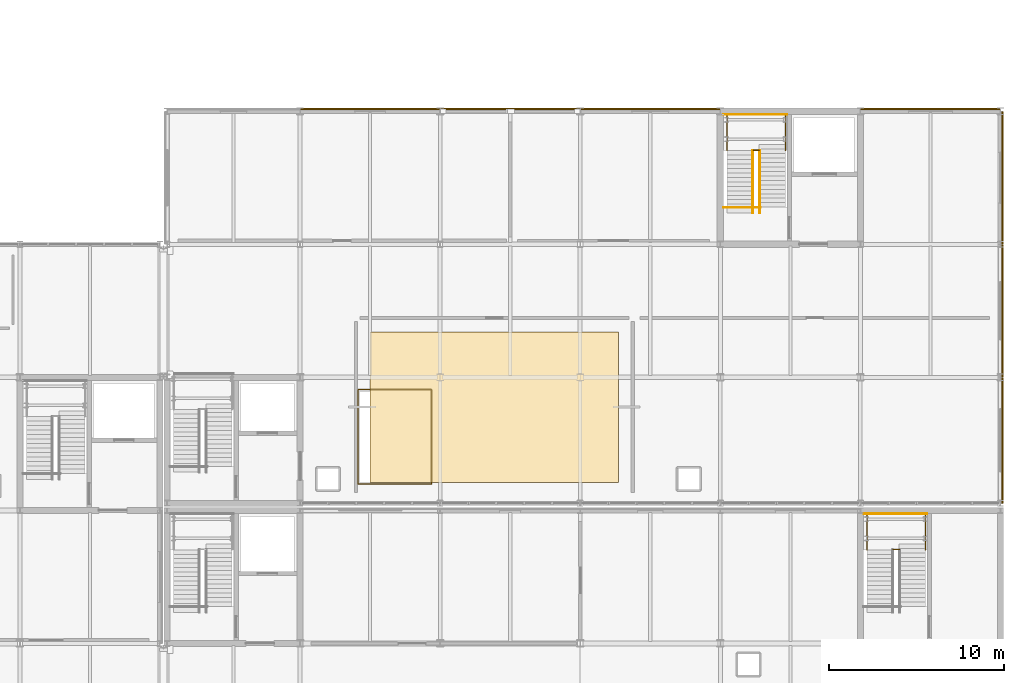
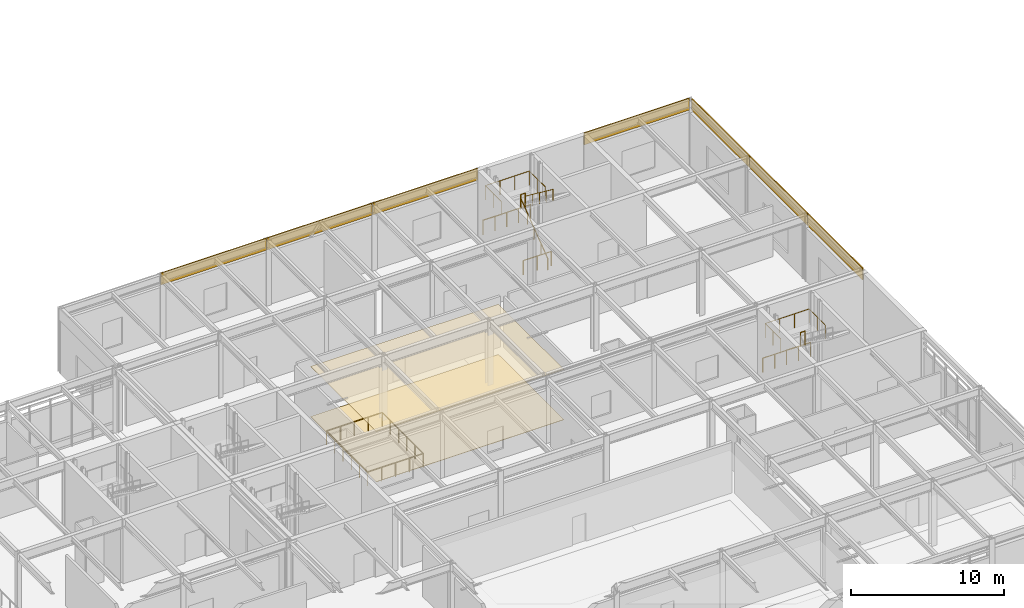
# One storey, part 94 of 94: 10 railings, 9 coverings.
"""IFC4 building model written with IfcOpenShell, lengths in metres."""

from ifc_helpers import new_model, si_unit, direction, frame, origin, origin_2d, place, context, subcontext, project, spatial, polyline, rectangle, circle, outline, extrude, material, layer, layer_set, type_object, element, save


model = new_model("IFC4")

# Units and contexts
model_context = context("Model", 3, precision=1e-05, world=origin(), true_north=direction((0.0, 1.0)))
body_context = subcontext(model_context, "Body", "Model", "MODEL_VIEW")
ifc_project = project(units=[si_unit("LENGTHUNIT", "METRE"), si_unit("AREAUNIT", "SQUARE_METRE"), si_unit("VOLUMEUNIT", "CUBIC_METRE"), si_unit("PLANEANGLEUNIT", "RADIAN"), si_unit("MASSUNIT", "GRAM", prefix="KILO")], contexts=[model_context])

# Site, building, storey
site_placement = place(None, origin())
site = spatial("IfcSite", under=ifc_project, at=site_placement, CompositionType="ELEMENT")
building_placement = place(site_placement, origin())
building = spatial("IfcBuilding", under=site, at=building_placement, Name="Zulena Civic Courthouse", CompositionType="ELEMENT")
storey_placement = place(building_placement, frame((0.0, 0.0, 5.39990234375)))
storey = spatial("IfcBuildingStorey", under=building, at=storey_placement, Name="L01", CompositionType="ELEMENT", Elevation=5.39990234375)

# Covering
ifc_material_1 = material(Name="Perforated acoustic mineral-fibre ceiling tile", Category="concrete")
ifc_layer_1 = layer(ifc_material_1, 0.02490234375)
ifc_layer_set_1 = layer_set([ifc_layer_1], Name="Perforated acoustic mineral-fibre ceiling tile")
covering_type_1 = type_object("IfcCoveringType", Name="AcousticCeiling_25", PredefinedType="CEILING", material=ifc_layer_set_1)
covering_1_placement = place(storey_placement, frame((0.0, 0.0, 4.02001953125)))
element("IfcCovering", 1, at=covering_1_placement, inside=storey, type_object=covering_type_1, Name="ceil:L01:264", PredefinedType="CEILING", context=body_context, shape_type="SweptSolid", body=[
    extrude(outline(polyline([(136.0, 32.0), (150.199951171875, 32.0), (150.199951171875, 40.60009765625), (136.0, 40.60009765625), (136.0, 32.0)])), origin(), (0.0, 0.0, 1.0), 0.025146484375),
])

# Railings
ifc_material_2 = material(Name="Brushed architectural steel ASTM A36", Category="steel")
railing_type_1 = type_object("IfcRailingType", Name="InteriorGuardrail_1150", PredefinedType="GUARDRAIL", material=ifc_material_2)
railing_1_placement = place(storey_placement, frame((164.199951171875, 30.2099609375, 0.0)))
element("IfcRailing", 2, at=railing_1_placement, inside=storey, type_object=railing_type_1, Name="gr:wellN:K1B:L00", PredefinedType="GUARDRAIL", context=body_context, shape_type="SweptSolid", body=[
    extrude(circle(Radius=0.02392578125, at=origin_2d()), frame((0.00390625, 0.0, 1.1259765625), z_axis=(1.0, 0.0, 0.0), x_axis=(0.0, 1.0, 0.0)), (0.0, 0.0, 1.0), 3.592041015625),
    extrude(circle(Radius=0.02099609375, at=origin_2d()), origin(), (0.0, 0.0, 1.0), 1.097900390625),
    extrude(circle(Radius=0.02099609375, at=origin_2d()), frame((0.89990234375, 0.0, 0.0)), (0.0, 0.0, 1.0), 1.097900390625),
    extrude(circle(Radius=0.02099609375, at=origin_2d()), frame((1.800048828125, 0.0, 0.0)), (0.0, 0.0, 1.0), 1.097900390625),
    extrude(circle(Radius=0.02099609375, at=origin_2d()), frame((2.7001953125, 0.0, 0.0)), (0.0, 0.0, 1.0), 1.097900390625),
    extrude(circle(Radius=0.02099609375, at=origin_2d()), frame((3.60009765625, 0.0, 0.0)), (0.0, 0.0, 1.0), 1.097900390625),
])
railing_2_placement = place(storey_placement, frame((164.3798828125, 28.149658203125, 2.7001953125)))
element("IfcRailing", 3, at=railing_2_placement, inside=storey, type_object=railing_type_1, Name="gr:lnd:K1B:L01", PredefinedType="GUARDRAIL", context=body_context, shape_type="SweptSolid", body=[
    extrude(circle(Radius=0.02392578125, at=origin_2d()), frame((0.0, 0.00390625, 1.1259765625), z_axis=(0.0, 1.0, 0.0), x_axis=(-1.0, 0.0, 0.0)), (0.0, 0.0, 1.0), 2.062255859375),
    extrude(circle(Radius=0.02392578125, at=origin_2d()), frame((0.00390625, 2.0703125, 1.1259765625), z_axis=(1.0, 0.0, 0.0), x_axis=(0.0, 1.0, 0.0)), (0.0, 0.0, 1.0), 3.33203125),
    extrude(circle(Radius=0.02392578125, at=origin_2d()), frame((3.340087890625, 2.06640625, 1.1259765625), z_axis=(0.0, -1.0, 0.0), x_axis=(1.0, 0.0, 0.0)), (0.0, 0.0, 1.0), 2.062255859375),
    extrude(circle(Radius=0.02099609375, at=origin_2d()), origin(), (0.0, 0.0, 1.0), 1.097900390625),
    extrude(circle(Radius=0.02099609375, at=origin_2d()), frame((0.0, 1.03515625, 0.0)), (0.0, 0.0, 1.0), 1.097900390625),
    extrude(circle(Radius=0.02099609375, at=origin_2d()), frame((0.0, 2.0703125, 0.0)), (0.0, 0.0, 1.0), 1.097900390625),
    extrude(circle(Radius=0.02099609375, at=origin_2d()), frame((1.11328125, 2.0703125, 0.0)), (0.0, 0.0, 1.0), 1.097900390625),
    extrude(circle(Radius=0.02099609375, at=origin_2d()), frame((2.226806640625, 2.0703125, 0.0)), (0.0, 0.0, 1.0), 1.097900390625),
    extrude(circle(Radius=0.02099609375, at=origin_2d()), frame((3.340087890625, 2.0703125, 0.0)), (0.0, 0.0, 1.0), 1.097900390625),
    extrude(circle(Radius=0.02099609375, at=origin_2d()), frame((3.340087890625, 1.03515625, 0.0)), (0.0, 0.0, 1.0), 1.097900390625),
    extrude(circle(Radius=0.02099609375, at=origin_2d()), frame((3.340087890625, 0.0, 0.0)), (0.0, 0.0, 1.0), 1.097900390625),
])
railing_3_placement = place(storey_placement, frame((165.8798828125, 28.169921875, 2.7001953125)))
element("IfcRailing", 4, at=railing_3_placement, inside=storey, type_object=railing_type_1, Name="gr:lndslot:K1B:L01", PredefinedType="GUARDRAIL", context=body_context, shape_type="SweptSolid", body=[
    extrude(circle(Radius=0.02392578125, at=origin_2d()), frame((0.00390625, 0.0, 1.1259765625), z_axis=(1.0, 0.0, 0.0), x_axis=(0.0, 1.0, 0.0)), (0.0, 0.0, 1.0), 0.33203125),
    extrude(circle(Radius=0.02099609375, at=origin_2d()), origin(), (0.0, 0.0, 1.0), 1.097900390625),
    extrude(circle(Radius=0.02099609375, at=origin_2d()), frame((0.340087890625, 0.0, 0.0)), (0.0, 0.0, 1.0), 1.097900390625),
])
railing_4_placement = place(storey_placement, frame((156.199951171875, 53.010009765625, 0.0)))
element("IfcRailing", 5, at=railing_4_placement, inside=storey, type_object=railing_type_1, Name="gr:wellN:K3B:L00", PredefinedType="GUARDRAIL", context=body_context, shape_type="SweptSolid", body=[
    extrude(circle(Radius=0.02392578125, at=origin_2d()), frame((0.00390625, 0.0, 1.1259765625), z_axis=(1.0, 0.0, 0.0), x_axis=(0.0, 1.0, 0.0)), (0.0, 0.0, 1.0), 3.592041015625),
    extrude(circle(Radius=0.02099609375, at=origin_2d()), origin(), (0.0, 0.0, 1.0), 1.097900390625),
    extrude(circle(Radius=0.02099609375, at=origin_2d()), frame((0.89990234375, 0.0, 0.0)), (0.0, 0.0, 1.0), 1.097900390625),
    extrude(circle(Radius=0.02099609375, at=origin_2d()), frame((1.800048828125, 0.0, 0.0)), (0.0, 0.0, 1.0), 1.097900390625),
    extrude(circle(Radius=0.02099609375, at=origin_2d()), frame((2.7001953125, 0.0, 0.0)), (0.0, 0.0, 1.0), 1.097900390625),
    extrude(circle(Radius=0.02099609375, at=origin_2d()), frame((3.60009765625, 0.0, 0.0)), (0.0, 0.0, 1.0), 1.097900390625),
])
railing_5_placement = place(storey_placement, frame((156.179931640625, 47.699951171875, 0.0)))
element("IfcRailing", 6, at=railing_5_placement, inside=storey, type_object=railing_type_1, Name="gr:wells:K3B:L01", PredefinedType="GUARDRAIL", context=body_context, shape_type="SweptSolid", body=[
    extrude(circle(Radius=0.02392578125, at=origin_2d()), frame((0.00390625, 0.0, 1.1259765625), z_axis=(1.0, 0.0, 0.0), x_axis=(0.0, 1.0, 0.0)), (0.0, 0.0, 1.0), 2.112060546875),
    extrude(circle(Radius=0.02099609375, at=origin_2d()), origin(), (0.0, 0.0, 1.0), 1.097900390625),
    extrude(circle(Radius=0.02099609375, at=origin_2d()), frame((1.06005859375, 0.0, 0.0)), (0.0, 0.0, 1.0), 1.097900390625),
    extrude(circle(Radius=0.02099609375, at=origin_2d()), frame((2.1201171875, 0.0, 0.0)), (0.0, 0.0, 1.0), 1.097900390625),
])
railing_6_placement = place(storey_placement, frame((156.3798828125, 50.94970703125, 2.7001953125)))
element("IfcRailing", 7, at=railing_6_placement, inside=storey, type_object=railing_type_1, Name="gr:lnd:K3B:L01", PredefinedType="GUARDRAIL", context=body_context, shape_type="SweptSolid", body=[
    extrude(circle(Radius=0.02392578125, at=origin_2d()), frame((0.0, 0.00390625, 1.1259765625), z_axis=(0.0, 1.0, 0.0), x_axis=(-1.0, 0.0, 0.0)), (0.0, 0.0, 1.0), 2.062255859375),
    extrude(circle(Radius=0.02392578125, at=origin_2d()), frame((0.00390625, 2.0703125, 1.1259765625), z_axis=(1.0, 0.0, 0.0), x_axis=(0.0, 1.0, 0.0)), (0.0, 0.0, 1.0), 3.33203125),
    extrude(circle(Radius=0.02392578125, at=origin_2d()), frame((3.340087890625, 2.06640625, 1.1259765625), z_axis=(0.0, -1.0, 0.0), x_axis=(1.0, 0.0, 0.0)), (0.0, 0.0, 1.0), 2.062255859375),
    extrude(circle(Radius=0.02099609375, at=origin_2d()), origin(), (0.0, 0.0, 1.0), 1.097900390625),
    extrude(circle(Radius=0.02099609375, at=origin_2d()), frame((0.0, 1.03515625, 0.0)), (0.0, 0.0, 1.0), 1.097900390625),
    extrude(circle(Radius=0.02099609375, at=origin_2d()), frame((0.0, 2.0703125, 0.0)), (0.0, 0.0, 1.0), 1.097900390625),
    extrude(circle(Radius=0.02099609375, at=origin_2d()), frame((1.11328125, 2.0703125, 0.0)), (0.0, 0.0, 1.0), 1.097900390625),
    extrude(circle(Radius=0.02099609375, at=origin_2d()), frame((2.226806640625, 2.0703125, 0.0)), (0.0, 0.0, 1.0), 1.097900390625),
    extrude(circle(Radius=0.02099609375, at=origin_2d()), frame((3.340087890625, 2.0703125, 0.0)), (0.0, 0.0, 1.0), 1.097900390625),
    extrude(circle(Radius=0.02099609375, at=origin_2d()), frame((3.340087890625, 1.03515625, 0.0)), (0.0, 0.0, 1.0), 1.097900390625),
    extrude(circle(Radius=0.02099609375, at=origin_2d()), frame((3.340087890625, 0.0, 0.0)), (0.0, 0.0, 1.0), 1.097900390625),
])
railing_7_placement = place(storey_placement, frame((157.8798828125, 50.969970703125, 2.7001953125)))
element("IfcRailing", 8, at=railing_7_placement, inside=storey, type_object=railing_type_1, Name="gr:lndslot:K3B:L01", PredefinedType="GUARDRAIL", context=body_context, shape_type="SweptSolid", body=[
    extrude(circle(Radius=0.02392578125, at=origin_2d()), frame((0.00390625, 0.0, 1.1259765625), z_axis=(1.0, 0.0, 0.0), x_axis=(0.0, 1.0, 0.0)), (0.0, 0.0, 1.0), 0.33203125),
    extrude(circle(Radius=0.02099609375, at=origin_2d()), origin(), (0.0, 0.0, 1.0), 1.097900390625),
    extrude(circle(Radius=0.02099609375, at=origin_2d()), frame((0.340087890625, 0.0, 0.0)), (0.0, 0.0, 1.0), 1.097900390625),
])
railing_8_placement = place(storey_placement, frame((135.300048828125, 31.89990234375, 0.0)))
element("IfcRailing", 9, at=railing_8_placement, inside=storey, type_object=railing_type_1, Name="guard:void:V3:L01:lib", PredefinedType="GUARDRAIL", context=body_context, shape_type="SweptSolid", body=[
    extrude(circle(Radius=0.02392578125, at=origin_2d()), frame((0.00390625, 0.0, 1.1259765625), z_axis=(1.0, 0.0, 0.0), x_axis=(0.0, 1.0, 0.0)), (0.0, 0.0, 1.0), 4.19189453125),
    extrude(circle(Radius=0.02392578125, at=origin_2d()), frame((4.199951171875, 0.00390625, 1.1259765625), z_axis=(0.0, 1.0, 0.0), x_axis=(-1.0, 0.0, 0.0)), (0.0, 0.0, 1.0), 5.39208984375),
    extrude(circle(Radius=0.02392578125, at=origin_2d()), frame((4.196044921875, 5.400146484375, 1.1259765625), z_axis=(-1.0, 0.0, 0.0), x_axis=(0.0, -1.0, 0.0)), (0.0, 0.0, 1.0), 4.19189453125),
    extrude(circle(Radius=0.02392578125, at=origin_2d()), frame((0.0, 5.396240234375, 1.1259765625), z_axis=(0.0, -1.0, 0.0), x_axis=(1.0, 0.0, 0.0)), (0.0, 0.0, 1.0), 5.39208984375),
    extrude(circle(Radius=0.02099609375, at=origin_2d()), origin(), (0.0, 0.0, 1.0), 1.097900390625),
    extrude(circle(Radius=0.02099609375, at=origin_2d()), frame((1.050048828125, 0.0, 0.0)), (0.0, 0.0, 1.0), 1.097900390625),
    extrude(circle(Radius=0.02099609375, at=origin_2d()), frame((2.10009765625, 0.0, 0.0)), (0.0, 0.0, 1.0), 1.097900390625),
    extrude(circle(Radius=0.02099609375, at=origin_2d()), frame((3.14990234375, 0.0, 0.0)), (0.0, 0.0, 1.0), 1.097900390625),
    extrude(circle(Radius=0.02099609375, at=origin_2d()), frame((4.199951171875, 0.0, 0.0)), (0.0, 0.0, 1.0), 1.097900390625),
    extrude(circle(Radius=0.02099609375, at=origin_2d()), frame((4.199951171875, 1.080078125, 0.0)), (0.0, 0.0, 1.0), 1.097900390625),
    extrude(circle(Radius=0.02099609375, at=origin_2d()), frame((4.199951171875, 2.16015625, 0.0)), (0.0, 0.0, 1.0), 1.097900390625),
    extrude(circle(Radius=0.02099609375, at=origin_2d()), frame((4.199951171875, 3.239990234375, 0.0)), (0.0, 0.0, 1.0), 1.097900390625),
    extrude(circle(Radius=0.02099609375, at=origin_2d()), frame((4.199951171875, 4.320068359375, 0.0)), (0.0, 0.0, 1.0), 1.097900390625),
    extrude(circle(Radius=0.02099609375, at=origin_2d()), frame((4.199951171875, 5.400146484375, 0.0)), (0.0, 0.0, 1.0), 1.097900390625),
    extrude(circle(Radius=0.02099609375, at=origin_2d()), frame((3.14990234375, 5.400146484375, 0.0)), (0.0, 0.0, 1.0), 1.097900390625),
    extrude(circle(Radius=0.02099609375, at=origin_2d()), frame((2.10009765625, 5.400146484375, 0.0)), (0.0, 0.0, 1.0), 1.097900390625),
    extrude(circle(Radius=0.02099609375, at=origin_2d()), frame((1.050048828125, 5.400146484375, 0.0)), (0.0, 0.0, 1.0), 1.097900390625),
    extrude(circle(Radius=0.02099609375, at=origin_2d()), frame((0.0, 5.400146484375, 0.0)), (0.0, 0.0, 1.0), 1.097900390625),
    extrude(circle(Radius=0.02099609375, at=origin_2d()), frame((0.0, 4.320068359375, 0.0)), (0.0, 0.0, 1.0), 1.097900390625),
    extrude(circle(Radius=0.02099609375, at=origin_2d()), frame((0.0, 3.239990234375, 0.0)), (0.0, 0.0, 1.0), 1.097900390625),
    extrude(circle(Radius=0.02099609375, at=origin_2d()), frame((0.0, 2.16015625, 0.0)), (0.0, 0.0, 1.0), 1.097900390625),
    extrude(circle(Radius=0.02099609375, at=origin_2d()), frame((0.0, 1.080078125, 0.0)), (0.0, 0.0, 1.0), 1.097900390625),
])

# Coverings
ifc_material_3 = material(Name="White architectural precast concrete C40/50", Category="concrete")
ifc_layer_2 = layer(ifc_material_3, 0.0849609375)
ifc_layer_set_2 = layer_set([ifc_layer_2], Name="White architectural precast concrete C40/50")
covering_type_2 = type_object("IfcCoveringType", Name="PrecastSpandrelCladding_85", PredefinedType="CLADDING", material=ifc_layer_set_2)
for number, where, z_axis, x_axis, name in (
    (10, (136.0, 53.320068359375, 4.250244140625), (0.0, 0.0, 1.0), (1.0, 0.0, 0.0), "clad:sp:V3:L01:1:1"),
    (11, (144.0, 53.320068359375, 4.250244140625), (0.0, 0.0, 1.0), (1.0, 0.0, 0.0), "clad:sp:V3:L01:1:2"),
    (12, (152.0, 53.320068359375, 4.250244140625), (0.0, 0.0, 1.0), (1.0, 0.0, 0.0), "clad:sp:V3:L01:1:3"),
    (13, (168.0, 53.320068359375, 4.250244140625), (0.0, 0.0, 1.0), (1.0, 0.0, 0.0), "clad:sp:V3:L01:1:5"),
):
    element("IfcCovering", number, at=place(storey_placement, frame(where, z_axis=z_axis, x_axis=x_axis)), inside=storey, type_object=covering_type_2, Name=name, PredefinedType="CLADDING", context=body_context, shape_type="SweptSolid", body=[
        extrude(rectangle(XDim=7.9599609375, YDim=0.0849609375, at=origin_2d()), origin(), (0.0, 0.0, 1.0), 0.93994140625),
    ])
for number, where, z_axis, x_axis, name in (
    (14, (172.1201171875, 49.39990234375, 4.250244140625), (0.0, 0.0, 1.0), (0.0, -1.0, 0.0), "clad:sp:V3:L01:2:0"),
    (15, (172.1201171875, 41.800048828125, 4.250244140625), (0.0, 0.0, 1.0), (0.0, -1.0, 0.0), "clad:sp:V3:L01:2:1"),
):
    element("IfcCovering", number, at=place(storey_placement, frame(where, z_axis=z_axis, x_axis=x_axis)), inside=storey, type_object=covering_type_2, Name=name, PredefinedType="CLADDING", context=body_context, shape_type="SweptSolid", body=[
        extrude(rectangle(XDim=7.56005859375, YDim=0.0849609375, at=origin_2d()), origin(), (0.0, 0.0, 1.0), 0.93994140625),
    ])
covering_2_placement = place(storey_placement, frame((172.1201171875, 34.39990234375, 4.250244140625), z_axis=(0.0, 0.0, 1.0), x_axis=(0.0, -1.0, 0.0)))
element("IfcCovering", 16, at=covering_2_placement, inside=storey, type_object=covering_type_2, Name="clad:sp:V3:L01:2:2", PredefinedType="CLADDING", context=body_context, shape_type="SweptSolid", body=[
    extrude(rectangle(XDim=7.159912109375, YDim=0.0849609375, at=origin_2d()), origin(), (0.0, 0.0, 1.0), 0.93994140625),
])

# Railings
railing_type_2 = type_object("IfcRailingType", Name="StairHandrail_920", PredefinedType="HANDRAIL", material=ifc_material_2)
railing_9_placement = place(storey_placement, frame((157.85009765625, 47.3798828125, 0.0)))
element("IfcRailing", 17, at=railing_9_placement, inside=storey, type_object=railing_type_2, Name="hr:K3B:L01:1", PredefinedType="HANDRAIL", context=body_context, shape_type="SweptSolid", body=[
    extrude(circle(Radius=0.02392578125, at=origin_2d()), frame((0.0, 0.003173828125, 0.898193359375), z_axis=(0.0, 0.797545397698, 0.603258931647), x_axis=(-1.0, 0.0, 0.0)), (0.0, 0.0, 1.0), 4.468017578125),
    extrude(circle(Radius=0.02099609375, at=origin_2d()), origin(), (0.0, 0.0, 1.0), 0.867919921875),
    extrude(circle(Radius=0.02099609375, at=origin_2d()), frame((0.0, 0.892578125, 0.675048828125)), (0.0, 0.0, 1.0), 0.867919921875),
    extrude(circle(Radius=0.02099609375, at=origin_2d()), frame((0.0, 1.784912109375, 1.35009765625)), (0.0, 0.0, 1.0), 0.867919921875),
    extrude(circle(Radius=0.02099609375, at=origin_2d()), frame((0.0, 2.67724609375, 2.025146484375)), (0.0, 0.0, 1.0), 0.867919921875),
    extrude(circle(Radius=0.02099609375, at=origin_2d()), frame((0.0, 3.56982421875, 2.7001953125)), (0.0, 0.0, 1.0), 0.867919921875),
])
railing_10_placement = place(storey_placement, frame((158.25, 50.94970703125, 2.7001953125)))
element("IfcRailing", 18, at=railing_10_placement, inside=storey, type_object=railing_type_2, Name="hr:K3B:L01:2", PredefinedType="HANDRAIL", context=body_context, shape_type="SweptSolid", body=[
    extrude(circle(Radius=0.02392578125, at=origin_2d()), frame((0.0, -0.003173828125, 0.898193359375), z_axis=(0.0, -0.797571640464, 0.603224235528), x_axis=(1.0, 0.0, 0.0)), (0.0, 0.0, 1.0), 4.468017578125),
    extrude(circle(Radius=0.02099609375, at=origin_2d()), origin(), (0.0, 0.0, 1.0), 0.867919921875),
    extrude(circle(Radius=0.02099609375, at=origin_2d()), frame((0.0, -0.892578125, 0.675048828125)), (0.0, 0.0, 1.0), 0.867919921875),
    extrude(circle(Radius=0.02099609375, at=origin_2d()), frame((0.0, -1.784912109375, 1.35009765625)), (0.0, 0.0, 1.0), 0.867919921875),
    extrude(circle(Radius=0.02099609375, at=origin_2d()), frame((0.0, -2.67724609375, 2.02490234375)), (0.0, 0.0, 1.0), 0.867919921875),
    extrude(circle(Radius=0.02099609375, at=origin_2d()), frame((0.0, -3.56982421875, 2.699951171875)), (0.0, 0.0, 1.0), 0.867919921875),
])

# Covering
ifc_material_4 = material(Name="Honed travertine stone flooring", Category="masonry")
ifc_layer_3 = layer(ifc_material_4, 0.030029296875)
ifc_layer_set_3 = layer_set([ifc_layer_3], Name="Honed travertine stone flooring")
covering_type_3 = type_object("IfcCoveringType", Name="TravertineFlooring_30", PredefinedType="FLOORING", material=ifc_layer_set_3)
covering_3_placement = place(storey_placement, origin())
element("IfcCovering", 19, at=covering_3_placement, inside=storey, type_object=covering_type_3, Name="floor:L01:264", PredefinedType="FLOORING", context=body_context, shape_type="SweptSolid", body=[
    extrude(outline(polyline([(136.0, 32.0), (150.199951171875, 32.0), (150.199951171875, 40.60009765625), (136.0, 40.60009765625), (136.0, 32.0)])), origin(), (0.0, 0.0, 1.0), 0.030029296875),
])

save(model, "model.ifc")
